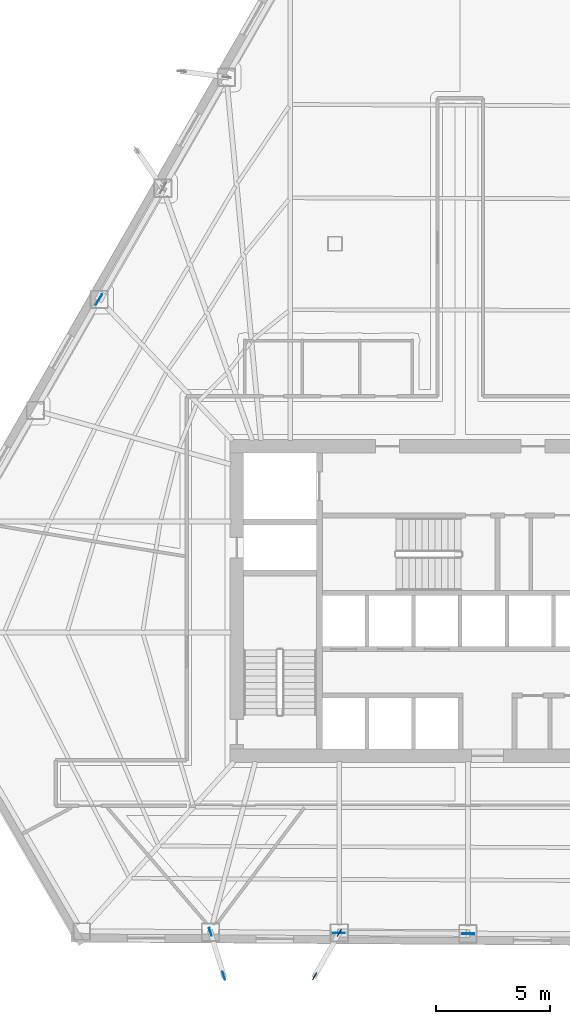
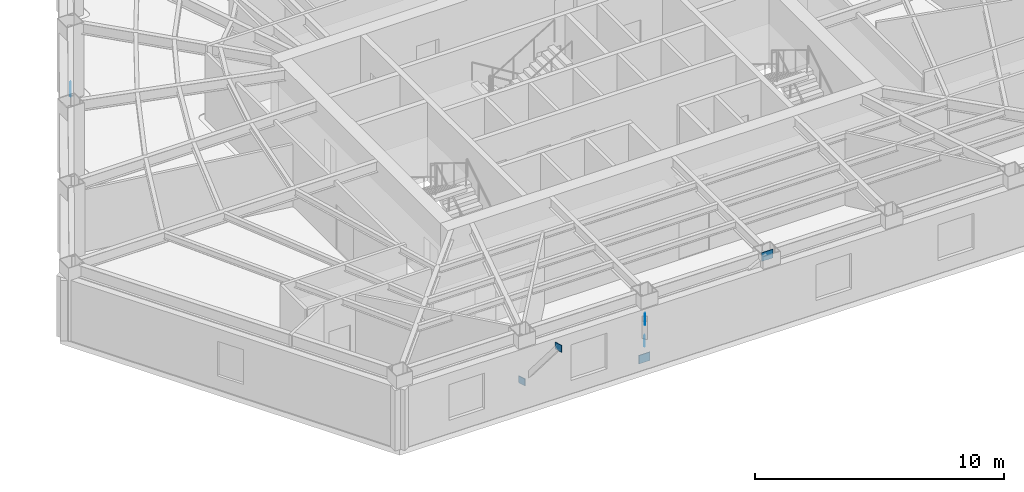
# One storey, part 4 of 12: 7 plates.
"""IFC4 building model written with IfcOpenShell, lengths in metres."""

from ifc_helpers import new_model, si_unit, direction, frame, origin, origin_2d, place, context, subcontext, project, spatial, rectangle, extrude, material, layer, layer_set, type_object, element, save


model = new_model("IFC4")

# Units and contexts
model_context = context("Model", 3, precision=1e-05, world=origin(), true_north=direction((0.0, 1.0)))
body_context = subcontext(model_context, "Body", "Model", "MODEL_VIEW")
ifc_project = project(units=[si_unit("LENGTHUNIT", "METRE"), si_unit("AREAUNIT", "SQUARE_METRE"), si_unit("VOLUMEUNIT", "CUBIC_METRE"), si_unit("PLANEANGLEUNIT", "RADIAN"), si_unit("MASSUNIT", "GRAM", prefix="KILO")], contexts=[model_context])

# Site, building, storey
site_placement = place(None, origin())
site = spatial("IfcSite", under=ifc_project, at=site_placement, CompositionType="ELEMENT")
building_placement = place(site_placement, origin())
building = spatial("IfcBuilding", under=site, at=building_placement, Name="Kavelnor Concourse Tower", CompositionType="ELEMENT")
storey_placement = place(building_placement, frame((0.0, 0.0, 44.5)))
storey = spatial("IfcBuildingStorey", under=building, at=storey_placement, Name="L11", CompositionType="ELEMENT", Elevation=44.5)

# Plates
ifc_material = material(Name="Steel Grade 350", Category="steel")
ifc_layer_1 = layer(ifc_material, 0.028076171875, Name="Steel Grade 350")
ifc_layer_set_1 = layer_set([ifc_layer_1], Name="Steel Grade 350")
plate_type_1 = type_object("IfcPlateType", Name="PL-GUSSET-FOLD", PredefinedType="USERDEFINED", material=ifc_layer_set_1)
for number, where, z_axis, x_axis, name in (
    (1, (27.022216796875, 1.556396484375, 0.8798828125), (0.0, 0.0, 1.0), (0.292872384621, -0.956151539415, 0.0), "L11 Balcony Strut Gusset GP4 2-A End Gusset A"),
    (2, (27.612548828125, -0.371826171875, 3.48486328125), (0.0, 0.0, 1.0), (0.292872384621, -0.956151539415, 0.0), "L11 Balcony Strut Gusset GP4 2-A End Gusset B"),
    (3, (32.689453125, 1.521240234375, 0.8798828125), (0.0, 0.0, 1.0), (-0.493486532416, -0.869753437661, 0.0), "L11 Balcony Strut Gusset GP4 2-B End Gusset A"),
    (4, (31.603271484375, -0.39306640625, 3.48486328125), (0.0, 0.0, 1.0), (-0.493486532416, -0.869753437661, 0.0), "L11 Balcony Strut Gusset GP4 2-B End Gusset B"),
):
    element("IfcPlate", number, at=place(storey_placement, frame(where, z_axis=z_axis, x_axis=x_axis)), inside=storey, type_object=plate_type_1, Name=name, ObjectType="GUSSET_PLATE", PredefinedType="USERDEFINED", context=body_context, shape_type="SweptSolid", body=[
        extrude(rectangle(XDim=0.360107421875, YDim=0.028076171875, at=origin_2d()), origin(), (0.0, 0.0, 1.0), 0.340087890625),
    ])
ifc_layer_2 = layer(ifc_material, 0.031982421875, Name="Steel Grade 350")
ifc_layer_set_2 = layer_set([ifc_layer_2], Name="Steel Grade 350")
plate_type_2 = type_object("IfcPlateType", Name="PL-GUSSET-TUBE-Z1", PredefinedType="USERDEFINED", material=ifc_layer_set_2)
for number, where, z_axis, x_axis, name in (
    (5, (22.123291015625, 29.349609375, 0.010009765625), (0.0, 0.0, 1.0), (0.497428253812, 0.867505119472, 0.0), "L11 Tube Brace Gusset GP3 F0-B2 End Gusset A"),
    (6, (32.67138671875, 1.510986328125, 0.010009765625), (0.0, 0.0, 1.0), (0.999982393165, -0.00593408463, 0.0), "L11 Tube Brace Gusset GP3 F1-B2 End Gusset A"),
    (7, (38.353515625, 1.476806640625, 3.073974609375), (0.0, 0.0, 1.0), (0.999982393165, -0.00593408463, 0.0), "L11 Tube Brace Gusset GP3 F1-B2 End Gusset B"),
):
    element("IfcPlate", number, at=place(storey_placement, frame(where, z_axis=z_axis, x_axis=x_axis)), inside=storey, type_object=plate_type_2, Name=name, ObjectType="GUSSET_PLATE", PredefinedType="USERDEFINED", context=body_context, shape_type="SweptSolid", body=[
        extrude(rectangle(XDim=0.52001953125, YDim=0.031982421875, at=origin_2d()), origin(), (0.0, 0.0, 1.0), 0.419921875),
    ])

save(model, "model.ifc")
